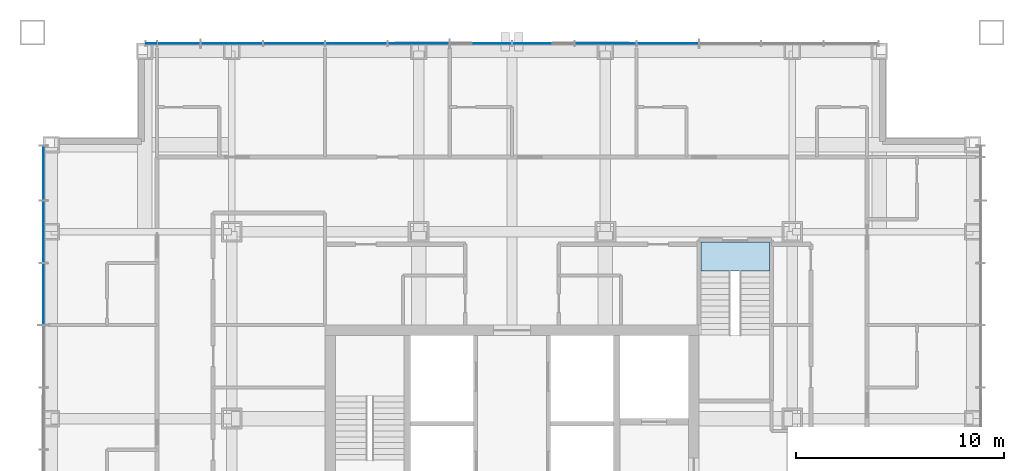
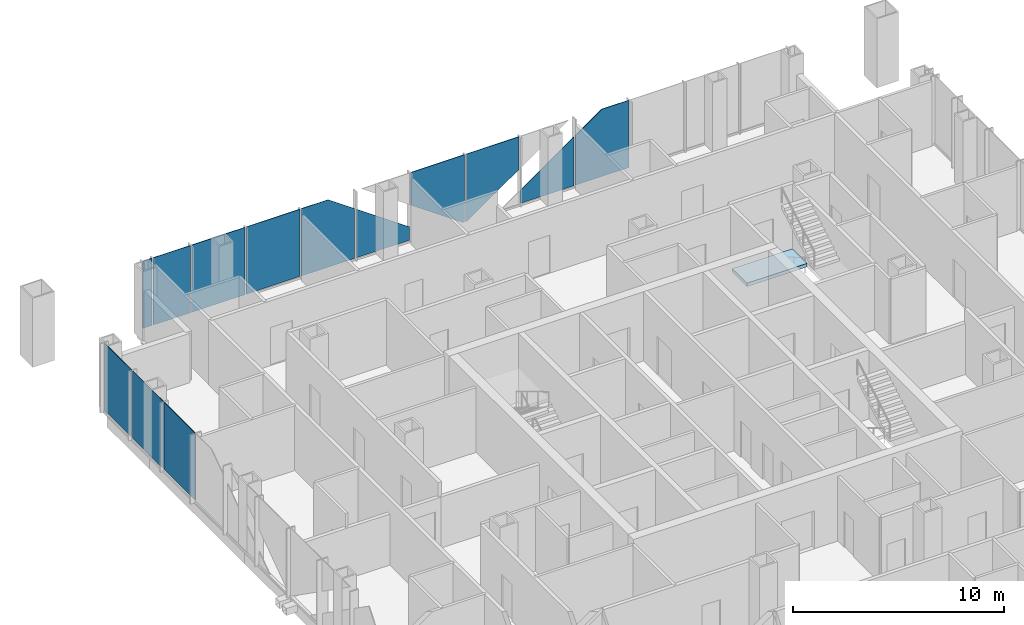
# One storey, part 10 of 17: 13 plates, 1 slab, 3 elements without a shape of their own.
"""IFC4 building model written with IfcOpenShell, lengths in metres."""

from ifc_helpers import new_model, si_unit, direction, frame, origin, origin_2d, place, context, subcontext, project, spatial, polyline, rectangle, outline, extrude, material, layer, layer_set, type_object, element, aggregate, save


model = new_model("IFC4")

# Units and contexts
model_context = context("Model", 3, precision=1e-05, world=origin(), true_north=direction((0.0, 1.0)))
body_context = subcontext(model_context, "Body", "Model", "MODEL_VIEW")
ifc_project = project(units=[si_unit("LENGTHUNIT", "METRE"), si_unit("AREAUNIT", "SQUARE_METRE"), si_unit("VOLUMEUNIT", "CUBIC_METRE"), si_unit("PLANEANGLEUNIT", "RADIAN"), si_unit("MASSUNIT", "GRAM", prefix="KILO")], contexts=[model_context])

# Site, building, storey
site_placement = place(None, origin())
site = spatial("IfcSite", under=ifc_project, at=site_placement, CompositionType="ELEMENT")
building_placement = place(site_placement, origin())
building = spatial("IfcBuilding", under=site, at=building_placement, Name="Malebo Sky Hospital", CompositionType="ELEMENT")
storey_placement = place(building_placement, frame((0.0, 0.0, 193.0)))
storey = spatial("IfcBuildingStorey", under=building, at=storey_placement, Name="L46", CompositionType="ELEMENT", Elevation=193.0)

# Stair, slab
ifc_material_1 = material(Name="Concrete C40/50", Category="concrete")
stair_type = type_object("IfcStairType", Name="HALF-TURN STAIR 1400 R167", PredefinedType="HALF_TURN_STAIR", material=ifc_material_1)
stair_placement = place(storey_placement, origin())
stair = element("IfcStair", 1, at=stair_placement, inside=storey, type_object=stair_type, Name="Stair S3 L46 type ST1B", PredefinedType="HALF_TURN_STAIR")
ifc_layer_1 = layer(ifc_material_1, 0.199951171875)
ifc_layer_set_1 = layer_set([ifc_layer_1], Name="STAIR LANDING 200")
slab_type = type_object("IfcSlabType", Name="STAIR LANDING 200", PredefinedType="LANDING", material=ifc_layer_set_1)
slab_placement = place(storey_placement, frame((0.0, 0.0, -0.199951171875)))
slab = element("IfcSlab", 2, at=slab_placement, type_object=slab_type, Name="S3 landing 1", PredefinedType="LANDING", context=body_context, shape_type="SweptSolid", body=[
    extrude(outline(polyline([(69.10009765625, 73.60009765625), (72.39990234375, 73.60009765625), (72.39990234375, 75.0), (69.10009765625, 75.0), (69.10009765625, 73.60009765625)])), origin(), (0.0, 0.0, 1.0), 0.199951171875),
])
aggregate(stair, [slab])

# Curtain wall, plates
ifc_material_2 = material(Name="Anodised aluminium, natural silver", Category="aluminium")
ifc_layer_2 = layer(ifc_material_2, 0.25)
ifc_layer_set_2 = layer_set([ifc_layer_2], Name="WARD CURTAIN WALL NORTH AND SOUTH")
curtain_wall_type_1 = type_object("IfcCurtainWallType", Name="WARD CURTAIN WALL NORTH AND SOUTH", PredefinedType="NOTDEFINED", material=ifc_layer_set_2)
curtain_wall_1_placement = place(storey_placement, origin())
curtain_wall_1 = element("IfcCurtainWall", 3, at=curtain_wall_1_placement, inside=storey, type_object=curtain_wall_type_1, Name="NS curtain wall N", PredefinedType="NOTDEFINED")
ifc_material_3 = material(Name="Clear low-iron double glazing", Category="glass")
ifc_layer_3 = layer(ifc_material_3, 0.031982421875)
ifc_layer_set_3 = layer_set([ifc_layer_3], Name="VISION PANEL CLEAR 32")
plate_type = type_object("IfcPlateType", Name="VISION PANEL CLEAR 32", PredefinedType="CURTAIN_PANEL", material=ifc_layer_set_3)
plate_1_placement = place(storey_placement, frame((42.61865234375, 84.574951171875, 0.10009765625), z_axis=(0.0, 0.0, 1.0), x_axis=(1.0, 0.0, 0.0)))
plate_1 = element("IfcPlate", 4, at=plate_1_placement, type_object=plate_type, Name="Panel 1", PredefinedType="CURTAIN_PANEL", context=body_context, shape_type="SweptSolid", body=[
    extrude(rectangle(XDim=0.487548828125, YDim=0.031982421875, at=origin_2d()), origin(), (0.0, 0.0, 1.0), 3.889892578125),
])
plate_2_placement = place(storey_placement, frame((43.949951171875, 84.574951171875, 0.10009765625), z_axis=(0.0, 0.0, 1.0), x_axis=(1.0, 0.0, 0.0)))
plate_2 = element("IfcPlate", 5, at=plate_2_placement, type_object=plate_type, Name="Panel 2", PredefinedType="CURTAIN_PANEL", context=body_context, shape_type="SweptSolid", body=[
    extrude(rectangle(XDim=2.02490234375, YDim=0.031982421875, at=origin_2d()), origin(), (0.0, 0.0, 1.0), 3.889892578125),
])
plate_3_placement = place(storey_placement, frame((46.5, 84.574951171875, 0.10009765625), z_axis=(0.0, 0.0, 1.0), x_axis=(1.0, 0.0, 0.0)))
plate_3 = element("IfcPlate", 6, at=plate_3_placement, type_object=plate_type, Name="Panel 3", PredefinedType="CURTAIN_PANEL", context=body_context, shape_type="SweptSolid", body=[
    extrude(rectangle(XDim=2.925048828125, YDim=0.031982421875, at=origin_2d()), origin(), (0.0, 0.0, 1.0), 3.889892578125),
])
plate_4_placement = place(storey_placement, frame((49.5, 84.574951171875, 0.10009765625), z_axis=(0.0, 0.0, 1.0), x_axis=(1.0, 0.0, 0.0)))
plate_4 = element("IfcPlate", 7, at=plate_4_placement, type_object=plate_type, Name="Panel 4", PredefinedType="CURTAIN_PANEL", context=body_context, shape_type="SweptSolid", body=[
    extrude(rectangle(XDim=2.925048828125, YDim=0.031982421875, at=origin_2d()), origin(), (0.0, 0.0, 1.0), 3.889892578125),
])
plate_5_placement = place(storey_placement, frame((52.5, 84.574951171875, 0.10009765625), z_axis=(0.0, 0.0, 1.0), x_axis=(1.0, 0.0, 0.0)))
plate_5 = element("IfcPlate", 8, at=plate_5_placement, type_object=plate_type, Name="Panel 5", PredefinedType="CURTAIN_PANEL", context=body_context, shape_type="SweptSolid", body=[
    extrude(outline(polyline([(-1.46240234375, 0.0), (1.46240234375, 0.0), (1.46240234375, 2.87353515625), (0.01513671875, 3.889892578125), (-1.46240234375, 3.889892578125), (-1.46240234375, 0.0)])), frame((0.0, 0.01611328125, 0.0), z_axis=(0.0, -1.0, 0.0), x_axis=(1.0, 0.0, 0.0)), (0.0, 0.0, 1.0), 0.031982421875),
])
plate_6_placement = place(storey_placement, frame((55.5, 84.574951171875, 0.10009765625), z_axis=(0.0, 0.0, 1.0), x_axis=(1.0, 0.0, 0.0)))
plate_6 = element("IfcPlate", 9, at=plate_6_placement, type_object=plate_type, Name="Panel 6", PredefinedType="CURTAIN_PANEL", context=body_context, shape_type="SweptSolid", body=[
    extrude(outline(polyline([(-1.46240234375, 0.0), (1.46240234375, 0.0), (1.46240234375, 0.766357421875), (-1.46240234375, 2.82080078125), (-1.46240234375, 0.0)])), frame((0.0, 0.01611328125, 0.0), z_axis=(0.0, -1.0, 0.0), x_axis=(1.0, 0.0, 0.0)), (0.0, 0.0, 1.0), 0.031982421875),
])
plate_7_placement = place(storey_placement, frame((58.5, 84.574951171875, 0.10009765625), z_axis=(0.0, 0.0, 1.0), x_axis=(1.0, 0.0, 0.0)))
plate_7 = element("IfcPlate", 10, at=plate_7_placement, type_object=plate_type, Name="Panel 7", PredefinedType="CURTAIN_PANEL", context=body_context, shape_type="SweptSolid", body=[
    extrude(outline(polyline([(1.382080078125, 0.0), (1.46240234375, 0.0), (1.46240234375, 3.889892578125), (-1.46240234375, 3.889892578125), (-1.46240234375, 1.998046875), (1.382080078125, 0.0)])), frame((0.0, 0.01611328125, 0.0), z_axis=(0.0, -1.0, 0.0), x_axis=(1.0, 0.0, 0.0)), (0.0, 0.0, 1.0), 0.031982421875),
])
plate_8_placement = place(storey_placement, frame((61.5, 84.574951171875, 0.10009765625), z_axis=(0.0, 0.0, 1.0), x_axis=(1.0, 0.0, 0.0)))
plate_8 = element("IfcPlate", 11, at=plate_8_placement, type_object=plate_type, Name="Panel 8", PredefinedType="CURTAIN_PANEL", context=body_context, shape_type="SweptSolid", body=[
    extrude(outline(polyline([(-1.46240234375, 0.0), (-1.382080078125, 0.0), (1.46240234375, 1.998046875), (1.46240234375, 3.889892578125), (-1.46240234375, 3.889892578125), (-1.46240234375, 0.0)])), frame((0.0, 0.01611328125, 0.0), z_axis=(0.0, -1.0, 0.0), x_axis=(1.0, 0.0, 0.0)), (0.0, 0.0, 1.0), 0.031982421875),
])
plate_9_placement = place(storey_placement, frame((64.5, 84.574951171875, 0.10009765625), z_axis=(0.0, 0.0, 1.0), x_axis=(1.0, 0.0, 0.0)))
plate_9 = element("IfcPlate", 12, at=plate_9_placement, type_object=plate_type, Name="Panel 9", PredefinedType="CURTAIN_PANEL", context=body_context, shape_type="SweptSolid", body=[
    extrude(outline(polyline([(-1.46240234375, 0.0), (1.46240234375, 0.0), (1.46240234375, 2.82080078125), (-1.46240234375, 0.766357421875), (-1.46240234375, 0.0)])), frame((0.0, 0.01611328125, 0.0), z_axis=(0.0, -1.0, 0.0), x_axis=(1.0, 0.0, 0.0)), (0.0, 0.0, 1.0), 0.031982421875),
])
plate_10_placement = place(storey_placement, frame((67.5, 84.574951171875, 0.10009765625), z_axis=(0.0, 0.0, 1.0), x_axis=(1.0, 0.0, 0.0)))
plate_10 = element("IfcPlate", 13, at=plate_10_placement, type_object=plate_type, Name="Panel 10", PredefinedType="CURTAIN_PANEL", context=body_context, shape_type="SweptSolid", body=[
    extrude(outline(polyline([(-1.46240234375, 0.0), (1.46240234375, 0.0), (1.46240234375, 3.889892578125), (-0.01513671875, 3.889892578125), (-1.46240234375, 2.87353515625), (-1.46240234375, 0.0)])), frame((0.0, 0.01611328125, 0.0), z_axis=(0.0, -1.0, 0.0), x_axis=(1.0, 0.0, 0.0)), (0.0, 0.0, 1.0), 0.031982421875),
])
aggregate(curtain_wall_1, [plate_1, plate_2, plate_3, plate_4, plate_5, plate_6, plate_7, plate_8, plate_9, plate_10])

ifc_layer_4 = layer(ifc_material_2, 0.25)
ifc_layer_set_4 = layer_set([ifc_layer_4], Name="WARD CURTAIN WALL EAST AND WEST")
curtain_wall_type_2 = type_object("IfcCurtainWallType", Name="WARD CURTAIN WALL EAST AND WEST", PredefinedType="NOTDEFINED", material=ifc_layer_set_4)
curtain_wall_2_placement = place(storey_placement, origin())
curtain_wall_2 = element("IfcCurtainWall", 14, at=curtain_wall_2_placement, inside=storey, type_object=curtain_wall_type_2, Name="EW curtain wall W", PredefinedType="NOTDEFINED")
plate_11_placement = place(storey_placement, frame((37.425048828125, 72.5, 0.10009765625), z_axis=(0.0, 0.0, 1.0), x_axis=(0.0, 1.0, 0.0)))
plate_11 = element("IfcPlate", 15, at=plate_11_placement, type_object=plate_type, Name="Panel 11", PredefinedType="CURTAIN_PANEL", context=body_context, shape_type="SweptSolid", body=[
    extrude(rectangle(XDim=2.925048828125, YDim=0.031982421875, at=origin_2d()), origin(), (0.0, 0.0, 1.0), 3.889892578125),
])
plate_12_placement = place(storey_placement, frame((37.425048828125, 75.5, 0.10009765625), z_axis=(0.0, 0.0, 1.0), x_axis=(0.0, 1.0, 0.0)))
plate_12 = element("IfcPlate", 16, at=plate_12_placement, type_object=plate_type, Name="Panel 12", PredefinedType="CURTAIN_PANEL", context=body_context, shape_type="SweptSolid", body=[
    extrude(rectangle(XDim=2.925048828125, YDim=0.031982421875, at=origin_2d()), origin(), (0.0, 0.0, 1.0), 3.889892578125),
])
plate_13_placement = place(storey_placement, frame((37.425048828125, 78.331298828125, 0.10009765625), z_axis=(0.0, 0.0, 1.0), x_axis=(0.0, 1.0, 0.0)))
plate_13 = element("IfcPlate", 17, at=plate_13_placement, type_object=plate_type, Name="Panel 13", PredefinedType="CURTAIN_PANEL", context=body_context, shape_type="SweptSolid", body=[
    extrude(rectangle(XDim=2.58740234375, YDim=0.031982421875, at=origin_2d()), origin(), (0.0, 0.0, 1.0), 3.889892578125),
])
aggregate(curtain_wall_2, [plate_11, plate_12, plate_13])

save(model, "model.ifc")
